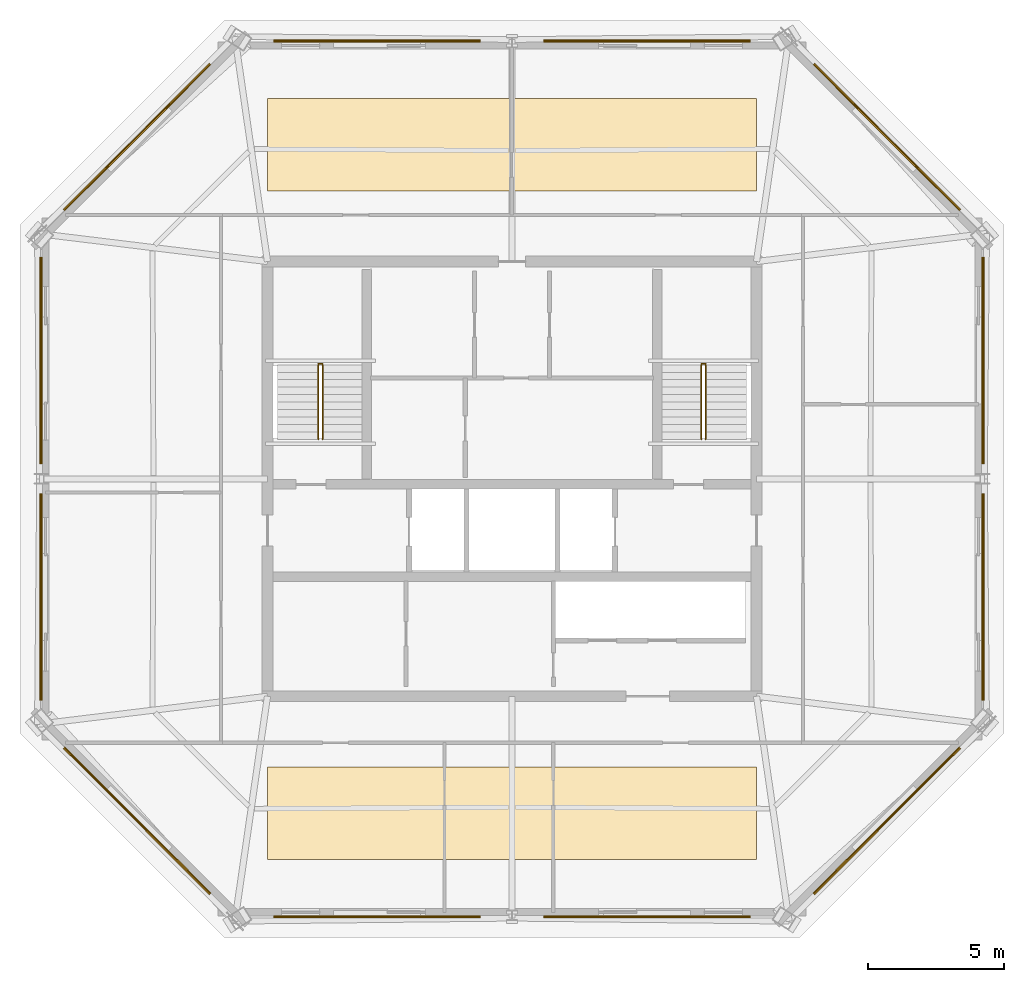
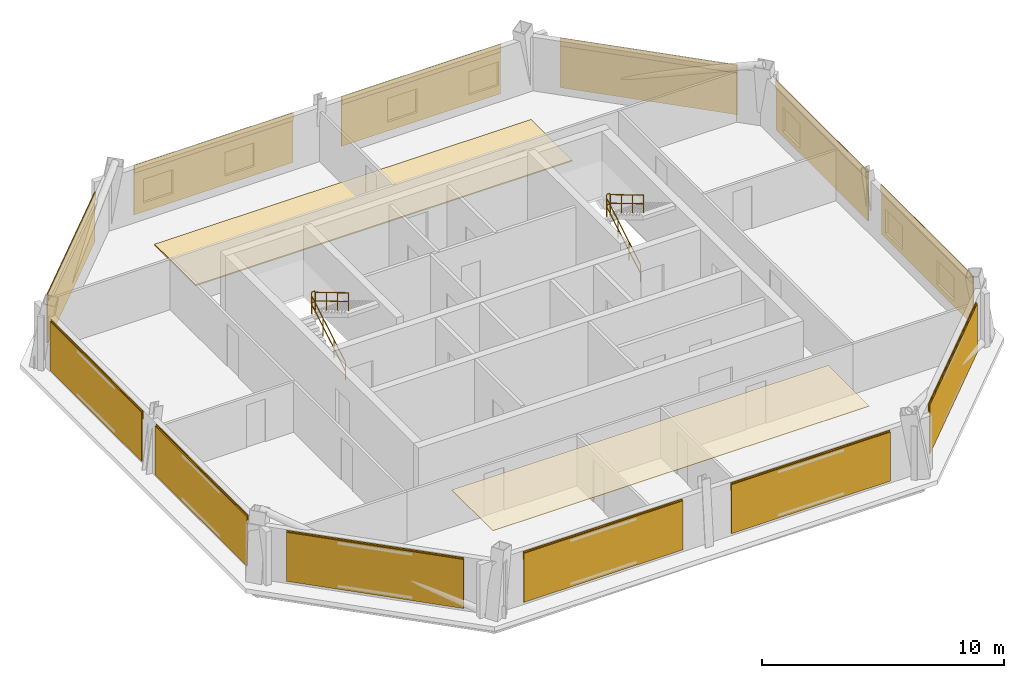
# One storey, part 5 of 5: 14 coverings, 12 shading devices, 6 railings.
"""IFC4 building model written with IfcOpenShell, lengths in metres."""

from ifc_helpers import new_model, si_unit, direction, frame, origin, origin_2d, place, context, subcontext, project, spatial, polyline, rectangle, circle, outline, extrude, material, layer, layer_set, type_object, element, save


model = new_model("IFC4")

# Units and contexts
model_context = context("Model", 3, precision=1e-05, world=origin(), true_north=direction((0.0, 1.0)))
body_context = subcontext(model_context, "Body", "Model", "MODEL_VIEW")
ifc_project = project(units=[si_unit("LENGTHUNIT", "METRE"), si_unit("AREAUNIT", "SQUARE_METRE"), si_unit("VOLUMEUNIT", "CUBIC_METRE"), si_unit("PLANEANGLEUNIT", "RADIAN"), si_unit("MASSUNIT", "GRAM", prefix="KILO")], contexts=[model_context])

# Site, building, storey
site_placement = place(None, origin())
site = spatial("IfcSite", under=ifc_project, at=site_placement, CompositionType="ELEMENT")
building_placement = place(site_placement, origin())
building = spatial("IfcBuilding", under=site, at=building_placement, Name="Caelvoria Tower", CompositionType="ELEMENT")
storey_placement = place(building_placement, frame((0.0, 0.0, 275.39990234375)))
storey = spatial("IfcBuildingStorey", under=building, at=storey_placement, Name="L73", CompositionType="ELEMENT", Elevation=275.39990234375)

# Coverings
ifc_material_1 = material(Name="Acoustic Mineral Fibre Tile", Category="gypsum")
ifc_layer_1 = layer(ifc_material_1, 0.02490234375, Name="Acoustic Mineral Fibre Tile")
ifc_layer_set_1 = layer_set([ifc_layer_1], Name="Mineral-Fibre Acoustic Suspended Ceiling 25 - Acoustic Mineral Fibre Tile")
covering_type_1 = type_object("IfcCoveringType", Name="Mineral-Fibre Acoustic Suspended Ceiling 25", PredefinedType="CEILING", material=ifc_layer_set_1)
covering_1_placement = place(storey_placement, frame((0.0, 0.0, 2.53515625)))
element("IfcCovering", 1, at=covering_1_placement, inside=storey, type_object=covering_type_1, Name="Suspended Acoustic Ceiling L73", PredefinedType="CEILING", context=body_context, shape_type="SweptSolid", body=[
    extrude(outline(polyline([(37.0, 18.0), (55.0, 18.0), (55.0, 21.39990234375), (37.0, 21.39990234375), (37.0, 18.0)])), origin(), (0.0, 0.0, 1.0), 0.02490234375),
])
ifc_material_2 = material(Name="Perforated Architectural Bronze Cladding Screen", Category="bronze")
ifc_layer_2 = layer(ifc_material_2, 0.0400390625, Name="Perforated Architectural Bronze Cladding Screen")
ifc_layer_set_2 = layer_set([ifc_layer_2], Name="Perforated Bronze Louvre Cladding Band 40 - Perforated Architectural Bronze Cladding Screen")
covering_type_2 = type_object("IfcCoveringType", Name="Perforated Bronze Louvre Cladding Band 40", PredefinedType="CLADDING", material=ifc_layer_set_2)
for number, where, z_axis, x_axis, name in (
    (2, (41.0390625, 15.904541015625, 2.297119140625), (0.0, 0.0, 1.0), (1.0, 0.0, 0.0), "Perforated Bronze Screen Band L73-E0-00"),
    (3, (50.9609375, 15.904541015625, 2.297119140625), (0.0, 0.0, 1.0), (1.0, 0.0, 0.0), "Perforated Bronze Screen Band L73-E0-01"),
    (4, (59.782958984375, 19.435302734375, 2.297119140625), (0.0, 0.0, 1.0), (0.707106781187, 0.707106781187, 0.0), "Perforated Bronze Screen Band L73-E1-00"),
    (5, (63.313720703125, 27.648193359375, 2.297119140625), (0.0, 0.0, 1.0), (0.0, 1.0, 0.0), "Perforated Bronze Screen Band L73-E2-00"),
    (6, (63.313720703125, 36.351806640625, 2.297119140625), (0.0, 0.0, 1.0), (0.0, 1.0, 0.0), "Perforated Bronze Screen Band L73-E2-01"),
    (7, (59.782958984375, 44.564697265625, 2.297119140625), (0.0, 0.0, 1.0), (-0.707106781187, 0.707106781187, 0.0), "Perforated Bronze Screen Band L73-E3-00"),
    (8, (50.9609375, 48.095458984375, 2.297119140625), (0.0, 0.0, 1.0), (-1.0, 0.0, 0.0), "Perforated Bronze Screen Band L73-E4-00"),
    (9, (41.0390625, 48.095458984375, 2.297119140625), (0.0, 0.0, 1.0), (-1.0, 0.0, 0.0), "Perforated Bronze Screen Band L73-E4-01"),
    (10, (32.217041015625, 44.564697265625, 2.297119140625), (0.0, 0.0, 1.0), (-0.707106781187, -0.707106781187, 0.0), "Perforated Bronze Screen Band L73-E5-00"),
    (11, (28.686279296875, 36.351806640625, 2.297119140625), (0.0, 0.0, 1.0), (0.0, -1.0, 0.0), "Perforated Bronze Screen Band L73-E6-00"),
    (12, (28.686279296875, 27.648193359375, 2.297119140625), (0.0, 0.0, 1.0), (0.0, -1.0, 0.0), "Perforated Bronze Screen Band L73-E6-01"),
    (13, (32.217041015625, 19.435302734375, 2.297119140625), (0.0, 0.0, 1.0), (0.707106781187, -0.707106781187, 0.0), "Perforated Bronze Screen Band L73-E7-00"),
):
    element("IfcCovering", number, at=place(storey_placement, frame(where, z_axis=z_axis, x_axis=x_axis)), inside=storey, type_object=covering_type_2, Name=name, PredefinedType="CLADDING", context=body_context, shape_type="SweptSolid", body=[
        extrude(rectangle(XDim=7.60009765625, YDim=0.0400390625, at=origin_2d()), origin(), (0.0, 0.0, 1.0), 0.39990234375),
    ])

# Shading devices
ifc_material_3 = material(Name="Perforated Architectural Bronze Alloy Panel", Category="bronze")
ifc_layer_3 = layer(ifc_material_3, 0.044921875, Name="Perforated Architectural Bronze Alloy Panel")
ifc_layer_set_3 = layer_set([ifc_layer_3], Name="Perforated Bronze Solar Screen Panel SCREEN - Perforated Architectural Bronze Alloy Panel")
shading_device_type = type_object("IfcShadingDeviceType", Name="Perforated Bronze Solar Screen Panel SCREEN", PredefinedType="USERDEFINED", material=ifc_layer_set_3)
for number, where, z_axis, x_axis, name in (
    (14, (41.0390625, 15.861572265625, 0.16015625), (0.0, 0.0, 1.0), (1.0, 0.0, 0.0), "Perforated Bronze Solar Screen L73-E0-00"),
    (15, (50.9609375, 15.861572265625, 0.16015625), (0.0, 0.0, 1.0), (1.0, 0.0, 0.0), "Perforated Bronze Solar Screen L73-E0-01"),
    (16, (59.813232421875, 19.40478515625, 0.16015625), (0.0, 0.0, 1.0), (0.707106781187, 0.707106781187, 0.0), "Perforated Bronze Solar Screen L73-E1-00"),
    (17, (63.356689453125, 27.648193359375, 0.16015625), (0.0, 0.0, 1.0), (0.0, 1.0, 0.0), "Perforated Bronze Solar Screen L73-E2-00"),
    (18, (63.356689453125, 36.351806640625, 0.16015625), (0.0, 0.0, 1.0), (0.0, 1.0, 0.0), "Perforated Bronze Solar Screen L73-E2-01"),
    (19, (59.813232421875, 44.59521484375, 0.16015625), (0.0, 0.0, 1.0), (-0.707106781187, 0.707106781187, 0.0), "Perforated Bronze Solar Screen L73-E3-00"),
    (20, (50.9609375, 48.138427734375, 0.16015625), (0.0, 0.0, 1.0), (-1.0, 0.0, 0.0), "Perforated Bronze Solar Screen L73-E4-00"),
    (21, (41.0390625, 48.138427734375, 0.16015625), (0.0, 0.0, 1.0), (-1.0, 0.0, 0.0), "Perforated Bronze Solar Screen L73-E4-01"),
    (22, (32.186767578125, 44.59521484375, 0.16015625), (0.0, 0.0, 1.0), (-0.707106781187, -0.707106781187, 0.0), "Perforated Bronze Solar Screen L73-E5-00"),
    (23, (28.643310546875, 36.351806640625, 0.16015625), (0.0, 0.0, 1.0), (0.0, -1.0, 0.0), "Perforated Bronze Solar Screen L73-E6-00"),
    (24, (28.643310546875, 27.648193359375, 0.16015625), (0.0, 0.0, 1.0), (0.0, -1.0, 0.0), "Perforated Bronze Solar Screen L73-E6-01"),
    (25, (32.186767578125, 19.40478515625, 0.16015625), (0.0, 0.0, 1.0), (0.707106781187, -0.707106781187, 0.0), "Perforated Bronze Solar Screen L73-E7-00"),
):
    element("IfcShadingDevice", number, at=place(storey_placement, frame(where, z_axis=z_axis, x_axis=x_axis)), inside=storey, type_object=shading_device_type, Name=name, ObjectType="SCREEN", PredefinedType="USERDEFINED", context=body_context, shape_type="SweptSolid", body=[
        extrude(rectangle(XDim=7.60009765625, YDim=0.044921875, at=origin_2d()), origin(), (0.0, 0.0, 1.0), 2.47705078125),
    ])

# Covering
ifc_material_4 = material(Name="Calcium-Sulphate Raised Floor Tile", Category="gypsum")
ifc_layer_4 = layer(ifc_material_4, 0.06005859375, Name="Calcium-Sulphate Raised Floor Tile")
ifc_layer_set_4 = layer_set([ifc_layer_4], Name="Raised Access Office Floor System 120 - Calcium-Sulphate Raised Floor Tile")
covering_type_3 = type_object("IfcCoveringType", Name="Raised Access Office Floor System 120", PredefinedType="FLOORING", material=ifc_layer_set_4)
covering_2_placement = place(storey_placement, origin())
element("IfcCovering", 26, at=covering_2_placement, inside=storey, type_object=covering_type_3, Name="Raised Access Flooring L73", PredefinedType="FLOORING", context=body_context, shape_type="SweptSolid", body=[
    extrude(outline(polyline([(37.0, 42.60009765625), (55.0, 42.60009765625), (55.0, 46.0), (37.0, 46.0), (37.0, 42.60009765625)])), origin(), (0.0, 0.0, 1.0), 0.06005859375),
])

# Railings
ifc_material_5 = material(Name="Brushed Stainless Steel Tube", Category="steel")
railing_type_1 = type_object("IfcRailingType", Name="Stair Tubular Stainless Handrail 920", PredefinedType="HANDRAIL", material=ifc_material_5)
railing_1_placement = place(storey_placement, frame((38.8701171875, 33.449951171875, 0.163818359375)))
element("IfcRailing", 27, at=railing_1_placement, inside=storey, type_object=railing_type_1, Name="ST-01 Flight 1 Handrail L73", PredefinedType="HANDRAIL", context=body_context, shape_type="SweptSolid", body=[
    extrude(circle(Radius=0.02392578125, at=origin_2d()), frame((0.0, 0.0, 0.89599609375), z_axis=(0.0, 0.859385484447, 0.511328259656), x_axis=(-1.0, 0.0, 0.0)), (0.0, 0.0, 1.0), 3.199951171875),
    extrude(circle(Radius=0.02392578125, at=origin_2d()), frame((0.0, 0.0, 0.4599609375), z_axis=(0.0, 0.859385484447, 0.511328259656), x_axis=(-1.0, 0.0, 0.0)), (0.0, 0.0, 1.0), 3.199951171875),
    extrude(circle(Radius=0.02099609375, at=origin_2d()), origin(), (0.0, 0.0, 1.0), 0.871826171875),
    extrude(circle(Radius=0.02099609375, at=origin_2d()), frame((0.0, 0.916748046875, 0.54541015625)), (0.0, 0.0, 1.0), 0.871826171875),
    extrude(circle(Radius=0.02099609375, at=origin_2d()), frame((0.0, 1.833251953125, 1.0908203125)), (0.0, 0.0, 1.0), 0.871826171875),
    extrude(circle(Radius=0.02099609375, at=origin_2d()), frame((0.0, 2.75, 1.63623046875)), (0.0, 0.0, 1.0), 0.871826171875),
])
railing_2_placement = place(storey_placement, frame((39.030029296875, 36.199951171875, 1.963623046875)))
element("IfcRailing", 28, at=railing_2_placement, inside=storey, type_object=railing_type_1, Name="ST-01 Flight 2 Handrail L73", PredefinedType="HANDRAIL", context=body_context, shape_type="SweptSolid", body=[
    extrude(circle(Radius=0.02392578125, at=origin_2d()), frame((0.0, 0.0, 0.89599609375), z_axis=(0.0, -0.859351957796, 0.511384603436), x_axis=(1.0, 0.0, 0.0)), (0.0, 0.0, 1.0), 3.2001953125),
    extrude(circle(Radius=0.02392578125, at=origin_2d()), frame((0.0, 0.0, 0.4599609375), z_axis=(0.0, -0.859351957796, 0.511384603436), x_axis=(1.0, 0.0, 0.0)), (0.0, 0.0, 1.0), 3.2001953125),
    extrude(circle(Radius=0.02099609375, at=origin_2d()), origin(), (0.0, 0.0, 1.0), 0.871826171875),
    extrude(circle(Radius=0.02099609375, at=origin_2d()), frame((0.0, -0.916748046875, 0.54541015625)), (0.0, 0.0, 1.0), 0.871826171875),
    extrude(circle(Radius=0.02099609375, at=origin_2d()), frame((0.0, -1.833251953125, 1.091064453125)), (0.0, 0.0, 1.0), 0.871826171875),
    extrude(circle(Radius=0.02099609375, at=origin_2d()), frame((0.0, -2.75, 1.636474609375)), (0.0, 0.0, 1.0), 0.871826171875),
])
railing_3_placement = place(storey_placement, frame((52.969970703125, 33.449951171875, 0.163818359375)))
element("IfcRailing", 29, at=railing_3_placement, inside=storey, type_object=railing_type_1, Name="ST-02 Flight 1 Handrail L73", PredefinedType="HANDRAIL", context=body_context, shape_type="SweptSolid", body=[
    extrude(circle(Radius=0.02392578125, at=origin_2d()), frame((0.0, 0.0, 0.89599609375), z_axis=(0.0, 0.859385484447, 0.511328259656), x_axis=(-1.0, 0.0, 0.0)), (0.0, 0.0, 1.0), 3.199951171875),
    extrude(circle(Radius=0.02392578125, at=origin_2d()), frame((0.0, 0.0, 0.4599609375), z_axis=(0.0, 0.859385484447, 0.511328259656), x_axis=(-1.0, 0.0, 0.0)), (0.0, 0.0, 1.0), 3.199951171875),
    extrude(circle(Radius=0.02099609375, at=origin_2d()), origin(), (0.0, 0.0, 1.0), 0.871826171875),
    extrude(circle(Radius=0.02099609375, at=origin_2d()), frame((0.0, 0.916748046875, 0.54541015625)), (0.0, 0.0, 1.0), 0.871826171875),
    extrude(circle(Radius=0.02099609375, at=origin_2d()), frame((0.0, 1.833251953125, 1.0908203125)), (0.0, 0.0, 1.0), 0.871826171875),
    extrude(circle(Radius=0.02099609375, at=origin_2d()), frame((0.0, 2.75, 1.63623046875)), (0.0, 0.0, 1.0), 0.871826171875),
])
railing_4_placement = place(storey_placement, frame((53.1298828125, 36.199951171875, 1.963623046875)))
element("IfcRailing", 30, at=railing_4_placement, inside=storey, type_object=railing_type_1, Name="ST-02 Flight 2 Handrail L73", PredefinedType="HANDRAIL", context=body_context, shape_type="SweptSolid", body=[
    extrude(circle(Radius=0.02392578125, at=origin_2d()), frame((0.0, 0.0, 0.89599609375), z_axis=(0.0, -0.859351957796, 0.511384603436), x_axis=(1.0, 0.0, 0.0)), (0.0, 0.0, 1.0), 3.2001953125),
    extrude(circle(Radius=0.02392578125, at=origin_2d()), frame((0.0, 0.0, 0.4599609375), z_axis=(0.0, -0.859351957796, 0.511384603436), x_axis=(1.0, 0.0, 0.0)), (0.0, 0.0, 1.0), 3.2001953125),
    extrude(circle(Radius=0.02099609375, at=origin_2d()), origin(), (0.0, 0.0, 1.0), 0.871826171875),
    extrude(circle(Radius=0.02099609375, at=origin_2d()), frame((0.0, -0.916748046875, 0.54541015625)), (0.0, 0.0, 1.0), 0.871826171875),
    extrude(circle(Radius=0.02099609375, at=origin_2d()), frame((0.0, -1.833251953125, 1.091064453125)), (0.0, 0.0, 1.0), 0.871826171875),
    extrude(circle(Radius=0.02099609375, at=origin_2d()), frame((0.0, -2.75, 1.636474609375)), (0.0, 0.0, 1.0), 0.871826171875),
])
ifc_material_6 = material(Name="Brushed Stainless Steel Guardrail", Category="steel")
railing_type_2 = type_object("IfcRailingType", Name="Stair Well and Ramp Guardrail 1120", PredefinedType="GUARDRAIL", material=ifc_material_6)
for number, where, name in (
    (31, (38.8701171875, 36.239990234375, 1.800048828125), "ST-01 Half-Landing Well Guard L73"),
    (32, (52.969970703125, 36.239990234375, 1.800048828125), "ST-02 Half-Landing Well Guard L73"),
):
    element("IfcRailing", number, at=place(storey_placement, frame(where)), inside=storey, type_object=railing_type_2, Name=name, PredefinedType="GUARDRAIL", context=body_context, shape_type="SweptSolid", body=[
        extrude(circle(Radius=0.02392578125, at=origin_2d()), frame((0.0, 0.0, 1.09619140625), z_axis=(1.0, 0.0, 0.0), x_axis=(0.0, 1.0, 0.0)), (0.0, 0.0, 1.0), 0.159912109375),
        extrude(circle(Radius=0.02392578125, at=origin_2d()), frame((0.0, 0.0, 0.56005859375), z_axis=(1.0, 0.0, 0.0), x_axis=(0.0, 1.0, 0.0)), (0.0, 0.0, 1.0), 0.159912109375),
        extrude(circle(Radius=0.02099609375, at=origin_2d()), origin(), (0.0, 0.0, 1.0), 1.072021484375),
        extrude(circle(Radius=0.02099609375, at=origin_2d()), frame((0.159912109375, 0.0, 0.0)), (0.0, 0.0, 1.0), 1.072021484375),
    ])

save(model, "model.ifc")
